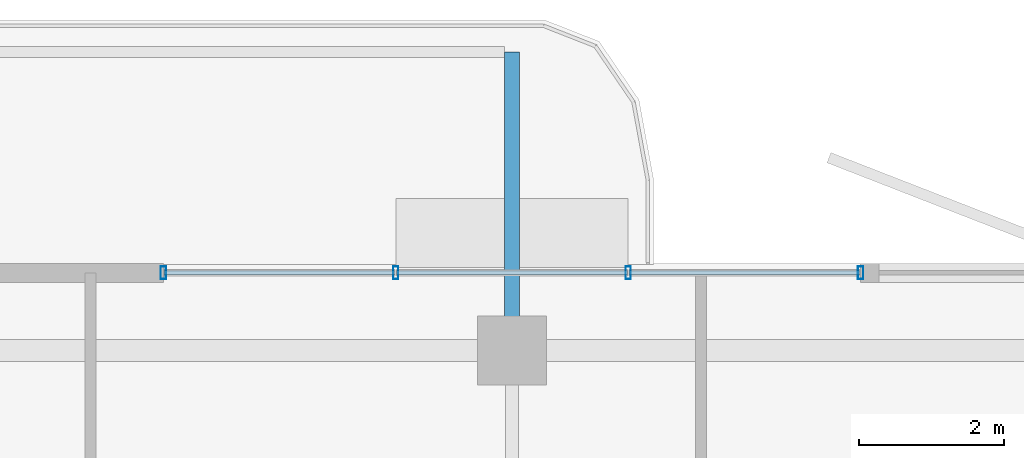
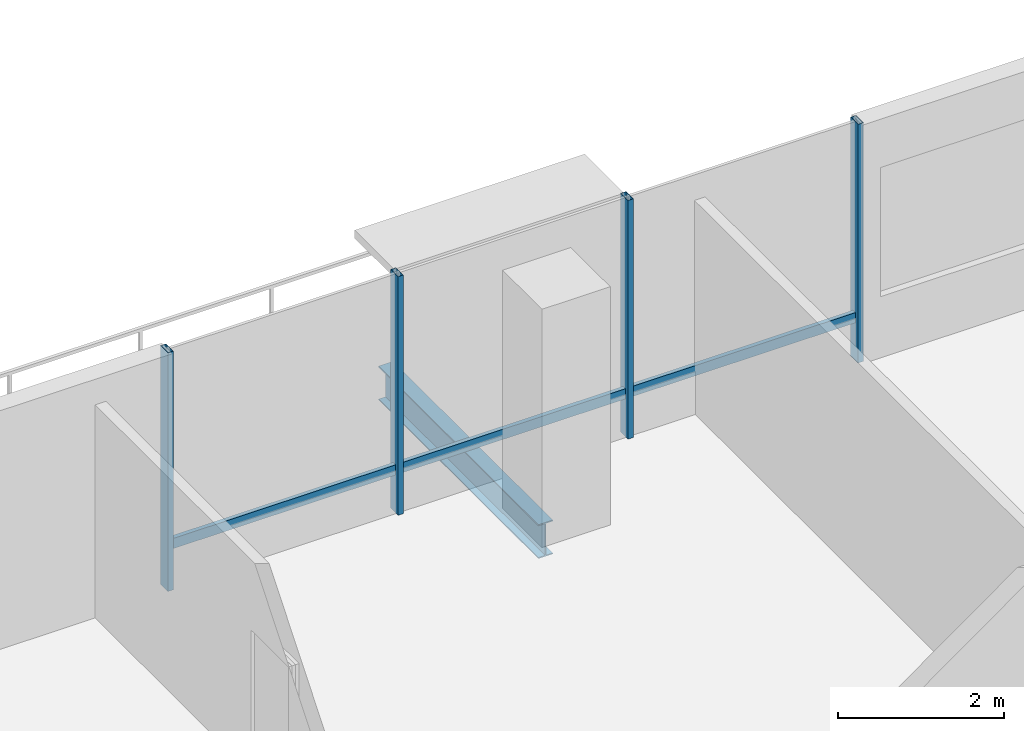
# One storey, part 10 of 18: 7 members, 1 beam, 1 element without a shape of its own.
"""IFC4 building model written with IfcOpenShell, lengths in metres."""

import ifcopenshell
import ifcopenshell.guid

model = None  # the IFC model being written
_history = None  # IfcOwnerHistory: only IFC2X3 demands one
_inside = {}  # id of a spatial element -> (the spatial element, [elements in it])
_under = {}  # id of a project, library or spatial element -> (it, [spatial elements below it])
_declared = {}  # id of a project -> (the project, [libraries it declares])
_typed = {}  # id of a type object -> (the type object, [elements of that type])
_made_of = {}  # id of a material, layer set ... -> (it, [elements and type objects made of it])


def new_model(schema):
    """Start an empty IFC model of exactly this schema.

    Asked for "IFC4X3", IfcOpenShell would pick the latest addendum, in which some entities
    have other attributes; the version numbers below select the first issue.
    IFC2X3 requires an IfcOwnerHistory on every rooted entity: one is made here for all.
    """
    global model, _history
    if schema == "IFC4X3":
        model = ifcopenshell.file(schema_version=(4, 3, 0, 0))
    else:
        model = ifcopenshell.file(schema=schema)
    _inside.clear()
    _under.clear()
    _declared.clear()
    _typed.clear()
    _made_of.clear()
    _history = None
    if model.schema == "IFC2X3":
        org = make("IfcOrganization", Name="unknown")
        user = make(
            "IfcPersonAndOrganization",
            ThePerson=make("IfcPerson", FamilyName="unknown"),
            TheOrganization=org,
        )
        app = make(
            "IfcApplication",
            ApplicationDeveloper=org,
            Version="unknown",
            ApplicationFullName="unknown",
            ApplicationIdentifier="unknown",
        )
        _history = make(
            "IfcOwnerHistory",
            OwningUser=user,
            OwningApplication=app,
            ChangeAction="ADDED",
            CreationDate=0,
        )
    return model


def make(cls, **values):
    """One entity of the class cls with the attributes given. An attribute that is None is left unset."""
    return model.create_entity(
        cls, **{name: value for name, value in values.items() if value is not None}
    )


def rooted(cls, **values):
    """An entity with a GlobalId (a new one), such as an element, a storey or a relation."""
    return make(cls, GlobalId=ifcopenshell.guid.new(), OwnerHistory=_history, **values)


def si_unit(unit_type, name, prefix=None):
    """IfcSIUnit, for example si_unit("LENGTHUNIT", "METRE", prefix="MILLI")."""
    return make("IfcSIUnit", UnitType=unit_type, Prefix=prefix, Name=name)


def assignment(units):
    """IfcUnitAssignment: the units of a project."""
    return None if units is None else make("IfcUnitAssignment", Units=units)


def point(xyz):
    """IfcCartesianPoint."""
    return None if xyz is None else make("IfcCartesianPoint", Coordinates=xyz)


def direction(xyz):
    """IfcDirection."""
    return None if xyz is None else make("IfcDirection", DirectionRatios=xyz)


def frame(location, z_axis=None, x_axis=None):
    """IfcAxis2Placement3D, a coordinate frame: its origin and axes. An axis left out is left unset."""
    return make(
        "IfcAxis2Placement3D",
        Location=point(location),
        Axis=direction(z_axis),
        RefDirection=direction(x_axis),
    )


def frame_2d(location, x_axis=None):
    """IfcAxis2Placement2D, a coordinate frame in the plane: its origin and x axis."""
    return make(
        "IfcAxis2Placement2D", Location=point(location), RefDirection=direction(x_axis)
    )


def origin():
    """The frame at (0, 0, 0) with its axes left unset."""
    return frame((0.0, 0.0, 0.0))


def origin_2d():
    """The frame at (0, 0) in the plane with its x axis left unset."""
    return frame_2d((0.0, 0.0))


def place(relative_to, where):
    """IfcLocalPlacement: puts the frame where relative to a parent placement (None: the world)."""
    return make(
        "IfcLocalPlacement", PlacementRelTo=relative_to, RelativePlacement=where
    )


def context(
    kind, dimensions, precision=None, world=None, true_north=None, identifier=None
):
    """IfcGeometricRepresentationContext, for example the 3D "Model" context."""
    return make(
        "IfcGeometricRepresentationContext",
        ContextIdentifier=identifier,
        ContextType=kind,
        CoordinateSpaceDimension=dimensions,
        Precision=precision,
        WorldCoordinateSystem=world,
        TrueNorth=true_north,
    )


def subcontext(parent, identifier, kind, view, scale=None):
    """IfcGeometricRepresentationSubContext, for example "Body" below "Model"."""
    return make(
        "IfcGeometricRepresentationSubContext",
        ContextIdentifier=identifier,
        ContextType=kind,
        ParentContext=parent,
        TargetScale=scale,
        TargetView=view,
    )


def project(units=None, contexts=None):
    """IfcProject with its units and contexts."""
    return rooted(
        "IfcProject",
        Name="project",
        RepresentationContexts=contexts,
        UnitsInContext=assignment(units),
    )


def spatial(cls, under=None, at=None, **own):
    """A site, building, storey or space (cls), placed at a placement, below another one or the project."""
    s = rooted(cls, ObjectPlacement=at, **own)
    if under is not None:
        _under.setdefault(under.id(), (under, []))[1].append(s)
    return s


def profile(cls, at=None, kind="AREA", **sizes):
    """A parametric profile (cls). Its sizes go by their IFC names, for example OverallWidth=200.0."""
    return make(cls, ProfileType=kind, Position=at, **sizes)


def hollow_rectangle(**sizes):
    """IfcRectangleHollowProfileDef."""
    return profile("IfcRectangleHollowProfileDef", **sizes)


def i_section(**sizes):
    """IfcIShapeProfileDef."""
    return profile("IfcIShapeProfileDef", **sizes)


def extrude(swept, where, along, depth):
    """IfcExtrudedAreaSolid: the profile swept, set in the frame where, extruded along a direction by depth."""
    return make(
        "IfcExtrudedAreaSolid",
        SweptArea=swept,
        Position=where,
        ExtrudedDirection=direction(along),
        Depth=depth,
    )


def shape(context_of_items, identifier, shape_type, items):
    """IfcShapeRepresentation: the items that make up one representation, for example the "Body"."""
    return make(
        "IfcShapeRepresentation",
        ContextOfItems=context_of_items,
        RepresentationIdentifier=identifier,
        RepresentationType=shape_type,
        Items=items,
    )


def material(Name=None, Category=None):
    """IfcMaterial."""
    return make("IfcMaterial", Name=Name, Category=Category)


def layer(
    of_material, thickness, ventilated=None, Name=None, Category=None, Priority=None
):
    """IfcMaterialLayer: one layer of a wall or slab, of a material (None: an air gap)."""
    return make(
        "IfcMaterialLayer",
        Material=of_material,
        LayerThickness=thickness,
        IsVentilated=ventilated,
        Name=Name,
        Category=Category,
        Priority=Priority,
    )


def layer_set(layers, Name=None):
    """IfcMaterialLayerSet."""
    return make("IfcMaterialLayerSet", MaterialLayers=layers, LayerSetName=Name)


def material_profile(
    of_material, cross_section, Name=None, Category=None, Priority=None
):
    """IfcMaterialProfile: a cross section and its material."""
    return make(
        "IfcMaterialProfile",
        Name=Name,
        Material=of_material,
        Profile=cross_section,
        Priority=Priority,
        Category=Category,
    )


def profile_set(profiles, Name=None, composite=None):
    """IfcMaterialProfileSet."""
    return make(
        "IfcMaterialProfileSet",
        Name=Name,
        MaterialProfiles=profiles,
        CompositeProfile=composite,
    )


def made_of(thing, what):
    """Note that an element or type object is made of a material, layer set ...; save() writes the relation."""
    if what is not None:
        _made_of.setdefault(what.id(), (what, []))[1].append(thing)
    return thing


def type_object(cls, material=None, **own):
    """A type object (cls), such as IfcWallType, which elements share."""
    return made_of(rooted(cls, **own), material)


def element(
    cls,
    number,
    at=None,
    inside=None,
    cuts=None,
    type_object=None,
    material=None,
    context=None,
    identifier="Body",
    shape_type=None,
    held_by="IfcProductDefinitionShape",
    body=None,
    shapes=None,
    **own,
):
    """One element of the class cls, such as IfcWall. Its Tag is "e" and its number.

    at: its placement. inside: the storey or other place that contains it. cuts: it is an
    opening in that element (IfcRelVoidsElement). A single representation is given by context,
    identifier, shape_type and body (its items); several are given by shapes. held_by: the class
    of the entity that holds the representations. save() writes the other relations.
    """
    e = rooted(cls, Tag="e%d" % number, ObjectPlacement=at, **own)
    if body is not None:
        shapes = [shape(context, identifier, shape_type, body)]
    if shapes is not None:
        e.Representation = make(held_by, Representations=shapes)
    if inside is not None:
        _inside.setdefault(inside.id(), (inside, []))[1].append(e)
    if cuts is not None:
        rooted(
            "IfcRelVoidsElement", RelatingBuildingElement=cuts, RelatedOpeningElement=e
        )
    if type_object is not None:
        _typed.setdefault(type_object.id(), (type_object, []))[1].append(e)
    return made_of(e, material)


def aggregate(whole, parts):
    """IfcRelAggregates: a whole, such as a stair, and the parts it consists of."""
    return rooted("IfcRelAggregates", RelatingObject=whole, RelatedObjects=parts)


def save(model, path):
    """Write the relations noted so far, then the file.

    IfcRelAggregates (storeys below a building ...), IfcRelContainedInSpatialStructure (elements
    in a storey), IfcRelDefinesByType, IfcRelAssociatesMaterial and IfcRelDeclares: one each for
    every whole, place, type object, material and project.
    """
    for whole, parts in _under.values():
        aggregate(whole, parts)
    for where, things in _inside.values():
        rooted(
            "IfcRelContainedInSpatialStructure",
            RelatedElements=things,
            RelatingStructure=where,
        )
    for kind, things in _typed.values():
        rooted("IfcRelDefinesByType", RelatedObjects=things, RelatingType=kind)
    for what, things in _made_of.values():
        rooted("IfcRelAssociatesMaterial", RelatedObjects=things, RelatingMaterial=what)
    for by, libraries in _declared.values():
        rooted("IfcRelDeclares", RelatingContext=by, RelatedDefinitions=libraries)
    model.write(path)


model = new_model("IFC4")

# Units and contexts
model_context = context("Model", 3, precision=1e-05, world=origin(), true_north=direction((0.0, 1.0)))
body_context = subcontext(model_context, "Body", "Model", "MODEL_VIEW")
ifc_project = project(units=[si_unit("LENGTHUNIT", "METRE"), si_unit("AREAUNIT", "SQUARE_METRE"), si_unit("VOLUMEUNIT", "CUBIC_METRE"), si_unit("PLANEANGLEUNIT", "RADIAN"), si_unit("MASSUNIT", "GRAM", prefix="KILO")], contexts=[model_context])

# Site, building, storey
site_placement = place(None, origin())
site = spatial("IfcSite", under=ifc_project, at=site_placement, CompositionType="ELEMENT")
building_placement = place(site_placement, origin())
building = spatial("IfcBuilding", under=site, at=building_placement, Name="Belovzor Exchange Tower", CompositionType="ELEMENT")
storey_placement = place(building_placement, frame((0.0, 0.0, 318.0)))
storey = spatial("IfcBuildingStorey", under=building, at=storey_placement, Name="L79", CompositionType="ELEMENT", Elevation=318.0)

# Beam
ifc_material_1 = material(Name="Steel S355", Category="steel")
ifc_material_profile_1 = material_profile(ifc_material_1, i_section(OverallWidth=0.199951171875, OverallDepth=0.5, WebThickness=0.01025390625, FlangeThickness=0.01611328125, at=origin_2d()))
ifc_profile_set_1 = profile_set([ifc_material_profile_1], Name="Steel S355")
beam_type = type_object("IfcBeamType", Name="Planted Balcony Cantilever Beam IPE 500", PredefinedType="BEAM", material=ifc_profile_set_1)
beam_placement = place(storey_placement, frame((28.800048828125, 50.660888671875, -0.489990234375), z_axis=(0.0, 1.0, 0.0), x_axis=(-1.0, 0.0, 0.0)))
element("IfcBeam", 1, at=beam_placement, inside=storey, type_object=beam_type, Name="BC-500 Planted Balcony Cantilever Beam IPE 500", PredefinedType="BEAM", context=body_context, shape_type="SweptSolid", body=[
    extrude(i_section(OverallWidth=0.199951171875, OverallDepth=0.5, WebThickness=0.01025390625, FlangeThickness=0.01611328125, at=origin_2d()), origin(), (0.0, 0.0, 1.0), 3.85009765625),
])

# Curtain wall, members
ifc_material_2 = material(Name="Anodised Aluminium Framing", Category="aluminium")
ifc_layer = layer(ifc_material_2, 0.179931640625)
ifc_layer_set = layer_set([ifc_layer], Name="Anodised Aluminium Framing")
curtain_wall_type = type_object("IfcCurtainWallType", Name="Recessed Loggia Low-Iron Triple-Glazed Curtain Wall", PredefinedType="NOTDEFINED", material=ifc_layer_set)
curtain_wall_placement = place(storey_placement, origin())
curtain_wall = element("IfcCurtainWall", 2, at=curtain_wall_placement, inside=storey, type_object=curtain_wall_type, Name="CW3 Recessed Loggia Low-Iron Triple-Glazed Curtain Wall L79", PredefinedType="NOTDEFINED")
ifc_material_3 = material(Name="Steel S355", Category="steel")
ifc_material_profile_2 = material_profile(ifc_material_3, hollow_rectangle(XDim=0.074951171875, YDim=0.179931640625, WallThickness=0.0048828125, at=origin_2d()))
ifc_profile_set_2 = profile_set([ifc_material_profile_2], Name="Steel S355")
member_type_1 = type_object("IfcMemberType", Name="Thermally Broken Curtain Wall Mullion 180x75", PredefinedType="MULLION", material=ifc_profile_set_2)
member_1_placement = place(storey_placement, frame((24.0, 51.469970703125, 0.0), z_axis=(0.0, 0.0, 1.0), x_axis=(1.0, 0.0, 0.0)))
member_1 = element("IfcMember", 3, at=member_1_placement, type_object=member_type_1, Name="CW-M180 Curtain Wall Mullion 1", PredefinedType="MULLION", context=body_context, shape_type="SweptSolid", body=[
    extrude(hollow_rectangle(XDim=0.074951171875, YDim=0.179931640625, WallThickness=0.0048828125, at=origin_2d()), origin(), (0.0, 0.0, 1.0), 3.510009765625),
])
member_2_placement = place(storey_placement, frame((27.199951171875, 51.469970703125, 0.0), z_axis=(0.0, 0.0, 1.0), x_axis=(1.0, 0.0, 0.0)))
member_2 = element("IfcMember", 4, at=member_2_placement, type_object=member_type_1, Name="CW-M180 Curtain Wall Mullion 2", PredefinedType="MULLION", context=body_context, shape_type="SweptSolid", body=[
    extrude(hollow_rectangle(XDim=0.074951171875, YDim=0.179931640625, WallThickness=0.0048828125, at=origin_2d()), origin(), (0.0, 0.0, 1.0), 3.510009765625),
])
member_3_placement = place(storey_placement, frame((30.39990234375, 51.469970703125, 0.0), z_axis=(0.0, 0.0, 1.0), x_axis=(1.0, 0.0, 0.0)))
member_3 = element("IfcMember", 5, at=member_3_placement, type_object=member_type_1, Name="CW-M180 Curtain Wall Mullion 3", PredefinedType="MULLION", context=body_context, shape_type="SweptSolid", body=[
    extrude(hollow_rectangle(XDim=0.074951171875, YDim=0.179931640625, WallThickness=0.0048828125, at=origin_2d()), origin(), (0.0, 0.0, 1.0), 3.510009765625),
])
member_4_placement = place(storey_placement, frame((33.60009765625, 51.469970703125, 0.0), z_axis=(0.0, 0.0, 1.0), x_axis=(1.0, 0.0, 0.0)))
member_4 = element("IfcMember", 6, at=member_4_placement, type_object=member_type_1, Name="CW-M180 Curtain Wall Mullion 4", PredefinedType="MULLION", context=body_context, shape_type="SweptSolid", body=[
    extrude(hollow_rectangle(XDim=0.074951171875, YDim=0.179931640625, WallThickness=0.0048828125, at=origin_2d()), origin(), (0.0, 0.0, 1.0), 3.510009765625),
])
ifc_material_4 = material(Name="Steel S355", Category="steel")
ifc_material_profile_3 = material_profile(ifc_material_4, hollow_rectangle(XDim=0.06005859375, YDim=0.14990234375, WallThickness=0.00390625, at=origin_2d()))
ifc_profile_set_3 = profile_set([ifc_material_profile_3], Name="Steel S355")
member_type_2 = type_object("IfcMemberType", Name="Thermally Broken Curtain Wall Transom 150x60", PredefinedType="USERDEFINED", material=ifc_profile_set_3)
member_5_placement = place(storey_placement, frame((24.008056640625, 51.469970703125, 0.632080078125), z_axis=(1.0, 0.0, 0.0), x_axis=(0.0, 1.0, 0.0)))
member_5 = element("IfcMember", 7, at=member_5_placement, type_object=member_type_2, Name="CW-T150 Curtain Wall Transom 1", ObjectType="TRANSOM", PredefinedType="USERDEFINED", context=body_context, shape_type="SweptSolid", body=[
    extrude(hollow_rectangle(XDim=0.06005859375, YDim=0.14990234375, WallThickness=0.00390625, at=origin_2d()), origin(), (0.0, 0.0, 1.0), 3.183837890625),
])
member_6_placement = place(storey_placement, frame((27.2080078125, 51.469970703125, 0.632080078125), z_axis=(1.0, 0.0, 0.0), x_axis=(0.0, 1.0, 0.0)))
member_6 = element("IfcMember", 8, at=member_6_placement, type_object=member_type_2, Name="CW-T150 Curtain Wall Transom 2", ObjectType="TRANSOM", PredefinedType="USERDEFINED", context=body_context, shape_type="SweptSolid", body=[
    extrude(hollow_rectangle(XDim=0.06005859375, YDim=0.14990234375, WallThickness=0.00390625, at=origin_2d()), origin(), (0.0, 0.0, 1.0), 3.18408203125),
])
member_7_placement = place(storey_placement, frame((30.407958984375, 51.469970703125, 0.632080078125), z_axis=(1.0, 0.0, 0.0), x_axis=(0.0, 1.0, 0.0)))
member_7 = element("IfcMember", 9, at=member_7_placement, type_object=member_type_2, Name="CW-T150 Curtain Wall Transom 3", ObjectType="TRANSOM", PredefinedType="USERDEFINED", context=body_context, shape_type="SweptSolid", body=[
    extrude(hollow_rectangle(XDim=0.06005859375, YDim=0.14990234375, WallThickness=0.00390625, at=origin_2d()), origin(), (0.0, 0.0, 1.0), 3.18408203125),
])
aggregate(curtain_wall, [member_1, member_2, member_3, member_4, member_5, member_6, member_7])

save(model, "model.ifc")
